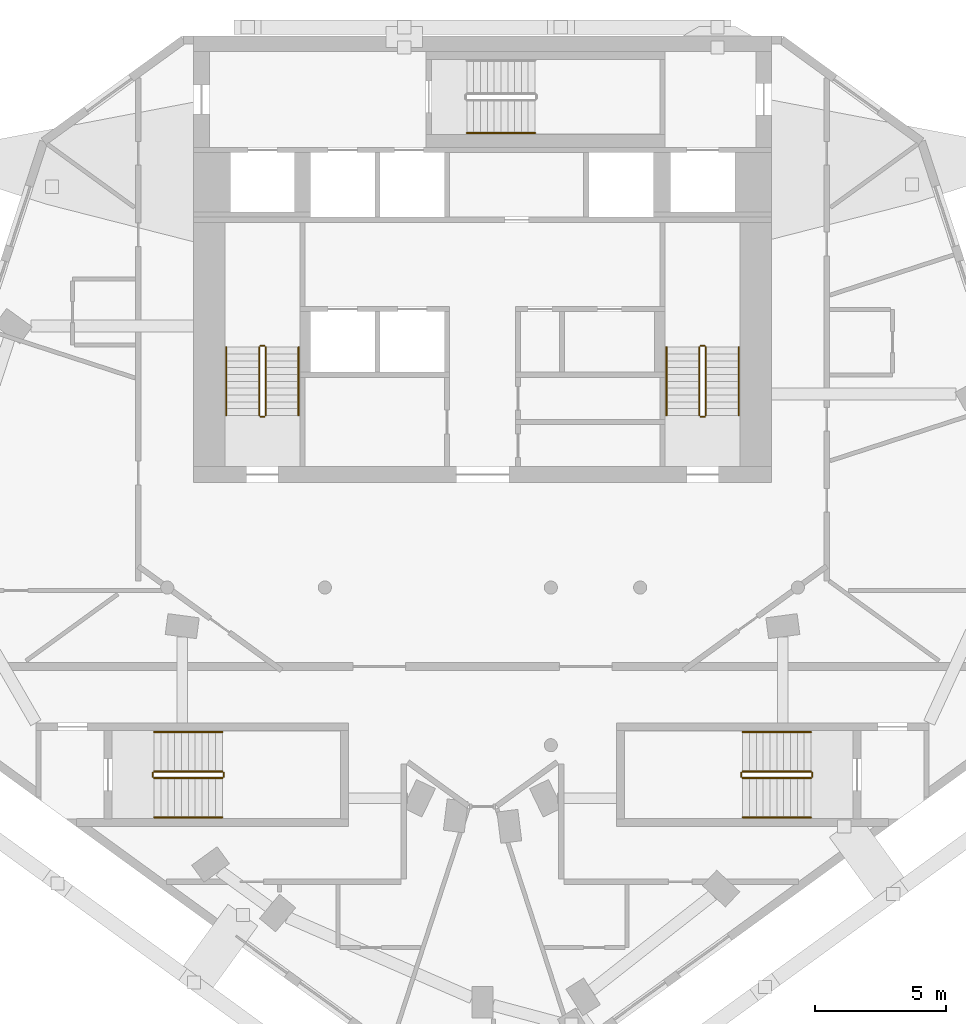
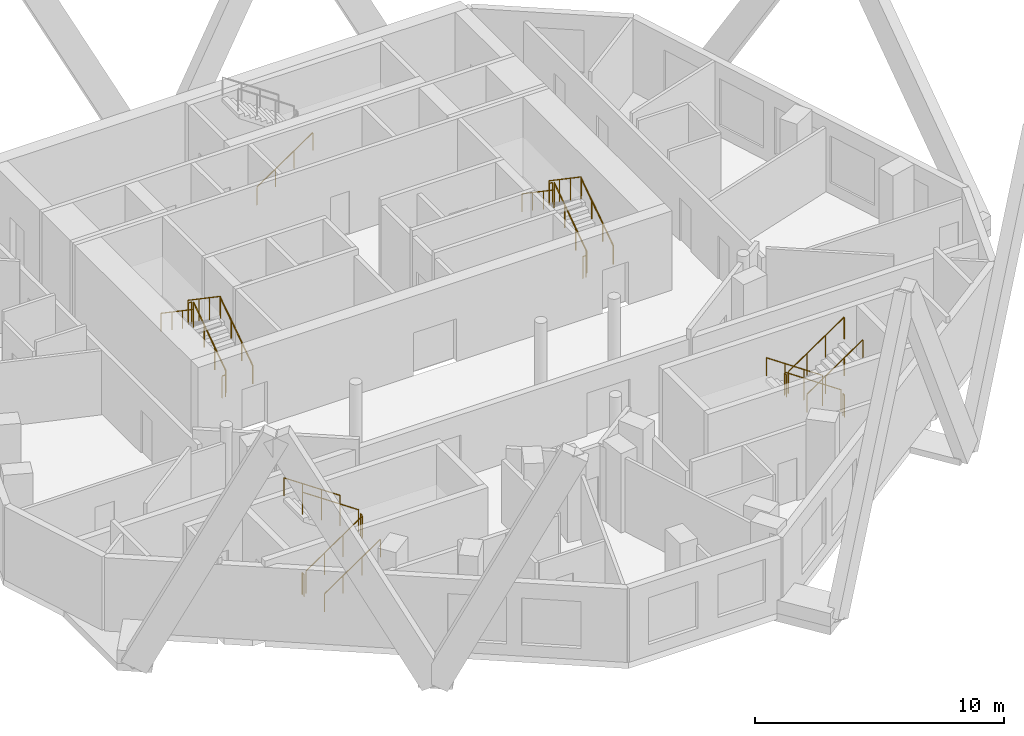
# One storey, part 7 of 8: 25 railings.
"""IFC4 building model written with IfcOpenShell, lengths in metres."""

from ifc_helpers import new_model, si_unit, direction, frame, origin, origin_2d, place, context, subcontext, project, spatial, circle, extrude, material, type_object, element, save


model = new_model("IFC4")

# Units and contexts
model_context = context("Model", 3, precision=1e-05, world=origin(), true_north=direction((0.0, 1.0)))
body_context = subcontext(model_context, "Body", "Model", "MODEL_VIEW")
ifc_project = project(units=[si_unit("LENGTHUNIT", "METRE"), si_unit("AREAUNIT", "SQUARE_METRE"), si_unit("VOLUMEUNIT", "CUBIC_METRE"), si_unit("PLANEANGLEUNIT", "RADIAN"), si_unit("MASSUNIT", "GRAM", prefix="KILO")], contexts=[model_context])

# Site, building, storey
site_placement = place(None, origin())
site = spatial("IfcSite", under=ifc_project, at=site_placement, CompositionType="ELEMENT")
building_placement = place(site_placement, origin())
building = spatial("IfcBuilding", under=site, at=building_placement, Name="White Candle Pilgrim Tower", CompositionType="ELEMENT")
storey_placement = place(building_placement, frame((0.0, 0.0, 306.10009765625)))
storey = spatial("IfcBuildingStorey", under=building, at=storey_placement, Name="L72", CompositionType="ELEMENT", Elevation=306.10009765625)

# Railings
ifc_material = material(Name="Stainless steel", Category="steel")
railing_type_1 = type_object("IfcRailingType", Name="Stair guard stainless steel 1100 mm", PredefinedType="GUARDRAIL", material=ifc_material)
railing_1_placement = place(storey_placement, frame((61.75, 73.550048828125, 0.17724609375)))
element("IfcRailing", 1, at=railing_1_placement, inside=storey, type_object=railing_type_1, Name="L72 ST1 stair guard 1", PredefinedType="GUARDRAIL", context=body_context, shape_type="SweptSolid", body=[
    extrude(circle(Radius=0.02392578125, at=origin_2d()), frame((0.0, 0.0, 1.076171875), z_axis=(0.0, 0.826215852431, 0.563353676824), x_axis=(-1.0, 0.0, 0.0)), (0.0, 0.0, 1.0), 3.146728515625),
    extrude(circle(Radius=0.02099609375, at=origin_2d()), origin(), (0.0, 0.0, 1.0), 1.052001953125),
    extrude(circle(Radius=0.02099609375, at=origin_2d()), frame((0.0, 0.86669921875, 0.5908203125)), (0.0, 0.0, 1.0), 1.052001953125),
    extrude(circle(Radius=0.02099609375, at=origin_2d()), frame((0.0, 1.733154296875, 1.181884765625)), (0.0, 0.0, 1.0), 1.052001953125),
    extrude(circle(Radius=0.02099609375, at=origin_2d()), frame((0.0, 2.599853515625, 1.772705078125)), (0.0, 0.0, 1.0), 1.052001953125),
])
railing_2_placement = place(storey_placement, frame((61.699951171875, 76.199951171875, 1.949951171875)))
element("IfcRailing", 2, at=railing_2_placement, inside=storey, type_object=railing_type_1, Name="L72 ST1 stair guard 2", PredefinedType="GUARDRAIL", context=body_context, shape_type="SweptSolid", body=[
    extrude(circle(Radius=0.02392578125, at=origin_2d()), frame((0.0, 0.0, 1.076171875), z_axis=(-1.0, 0.0, 0.0), x_axis=(0.0, -1.0, 0.0)), (0.0, 0.0, 1.0), 0.14990234375),
    extrude(circle(Radius=0.02099609375, at=origin_2d()), origin(), (0.0, 0.0, 1.0), 1.052001953125),
    extrude(circle(Radius=0.02099609375, at=origin_2d()), frame((-0.14990234375, 0.0, 0.0)), (0.0, 0.0, 1.0), 1.052001953125),
])
railing_3_placement = place(storey_placement, frame((61.5, 76.14990234375, 2.127197265625)))
element("IfcRailing", 3, at=railing_3_placement, inside=storey, type_object=railing_type_1, Name="L72 ST1 stair guard 3", PredefinedType="GUARDRAIL", context=body_context, shape_type="SweptSolid", body=[
    extrude(circle(Radius=0.02392578125, at=origin_2d()), frame((0.0, 0.0, 1.076171875), z_axis=(0.0, -0.826215852431, 0.563353676824), x_axis=(1.0, 0.0, 0.0)), (0.0, 0.0, 1.0), 3.146728515625),
    extrude(circle(Radius=0.02099609375, at=origin_2d()), origin(), (0.0, 0.0, 1.0), 1.052001953125),
    extrude(circle(Radius=0.02099609375, at=origin_2d()), frame((0.0, -0.86669921875, 0.5908203125)), (0.0, 0.0, 1.0), 1.052001953125),
    extrude(circle(Radius=0.02099609375, at=origin_2d()), frame((0.0, -1.733154296875, 1.181884765625)), (0.0, 0.0, 1.0), 1.052001953125),
    extrude(circle(Radius=0.02099609375, at=origin_2d()), frame((0.0, -2.599853515625, 1.772705078125)), (0.0, 0.0, 1.0), 1.052001953125),
])
railing_4_placement = place(storey_placement, frame((61.699951171875, 73.5, 0.0)))
element("IfcRailing", 4, at=railing_4_placement, inside=storey, type_object=railing_type_1, Name="L72 ST1 stair guard 4", PredefinedType="GUARDRAIL", context=body_context, shape_type="SweptSolid", body=[
    extrude(circle(Radius=0.02392578125, at=origin_2d()), frame((0.0, 0.0, 1.076171875), z_axis=(-1.0, 0.0, 0.0), x_axis=(0.0, -1.0, 0.0)), (0.0, 0.0, 1.0), 0.14990234375),
    extrude(circle(Radius=0.02099609375, at=origin_2d()), origin(), (0.0, 0.0, 1.0), 1.052001953125),
    extrude(circle(Radius=0.02099609375, at=origin_2d()), frame((-0.14990234375, 0.0, 0.0)), (0.0, 0.0, 1.0), 1.052001953125),
])
railing_5_placement = place(storey_placement, frame((78.5, 73.550048828125, 0.17724609375)))
element("IfcRailing", 5, at=railing_5_placement, inside=storey, type_object=railing_type_1, Name="L72 ST2 stair guard 1", PredefinedType="GUARDRAIL", context=body_context, shape_type="SweptSolid", body=[
    extrude(circle(Radius=0.02392578125, at=origin_2d()), frame((0.0, 0.0, 1.076171875), z_axis=(0.0, 0.826215852431, 0.563353676824), x_axis=(-1.0, 0.0, 0.0)), (0.0, 0.0, 1.0), 3.146728515625),
    extrude(circle(Radius=0.02099609375, at=origin_2d()), origin(), (0.0, 0.0, 1.0), 1.052001953125),
    extrude(circle(Radius=0.02099609375, at=origin_2d()), frame((0.0, 0.86669921875, 0.5908203125)), (0.0, 0.0, 1.0), 1.052001953125),
    extrude(circle(Radius=0.02099609375, at=origin_2d()), frame((0.0, 1.733154296875, 1.181884765625)), (0.0, 0.0, 1.0), 1.052001953125),
    extrude(circle(Radius=0.02099609375, at=origin_2d()), frame((0.0, 2.599853515625, 1.772705078125)), (0.0, 0.0, 1.0), 1.052001953125),
])
railing_6_placement = place(storey_placement, frame((78.449951171875, 76.199951171875, 1.949951171875)))
element("IfcRailing", 6, at=railing_6_placement, inside=storey, type_object=railing_type_1, Name="L72 ST2 stair guard 2", PredefinedType="GUARDRAIL", context=body_context, shape_type="SweptSolid", body=[
    extrude(circle(Radius=0.02392578125, at=origin_2d()), frame((0.0, 0.0, 1.076171875), z_axis=(-1.0, 0.0, 0.0), x_axis=(0.0, -1.0, 0.0)), (0.0, 0.0, 1.0), 0.14990234375),
    extrude(circle(Radius=0.02099609375, at=origin_2d()), origin(), (0.0, 0.0, 1.0), 1.052001953125),
    extrude(circle(Radius=0.02099609375, at=origin_2d()), frame((-0.14990234375, 0.0, 0.0)), (0.0, 0.0, 1.0), 1.052001953125),
])
railing_7_placement = place(storey_placement, frame((78.25, 76.14990234375, 2.127197265625)))
element("IfcRailing", 7, at=railing_7_placement, inside=storey, type_object=railing_type_1, Name="L72 ST2 stair guard 3", PredefinedType="GUARDRAIL", context=body_context, shape_type="SweptSolid", body=[
    extrude(circle(Radius=0.02392578125, at=origin_2d()), frame((0.0, 0.0, 1.076171875), z_axis=(0.0, -0.826215852431, 0.563353676824), x_axis=(1.0, 0.0, 0.0)), (0.0, 0.0, 1.0), 3.146728515625),
    extrude(circle(Radius=0.02099609375, at=origin_2d()), origin(), (0.0, 0.0, 1.0), 1.052001953125),
    extrude(circle(Radius=0.02099609375, at=origin_2d()), frame((0.0, -0.86669921875, 0.5908203125)), (0.0, 0.0, 1.0), 1.052001953125),
    extrude(circle(Radius=0.02099609375, at=origin_2d()), frame((0.0, -1.733154296875, 1.181884765625)), (0.0, 0.0, 1.0), 1.052001953125),
    extrude(circle(Radius=0.02099609375, at=origin_2d()), frame((0.0, -2.599853515625, 1.772705078125)), (0.0, 0.0, 1.0), 1.052001953125),
])
railing_8_placement = place(storey_placement, frame((78.449951171875, 73.5, 0.0)))
element("IfcRailing", 8, at=railing_8_placement, inside=storey, type_object=railing_type_1, Name="L72 ST2 stair guard 4", PredefinedType="GUARDRAIL", context=body_context, shape_type="SweptSolid", body=[
    extrude(circle(Radius=0.02392578125, at=origin_2d()), frame((0.0, 0.0, 1.076171875), z_axis=(-1.0, 0.0, 0.0), x_axis=(0.0, -1.0, 0.0)), (0.0, 0.0, 1.0), 0.14990234375),
    extrude(circle(Radius=0.02099609375, at=origin_2d()), origin(), (0.0, 0.0, 1.0), 1.052001953125),
    extrude(circle(Radius=0.02099609375, at=origin_2d()), frame((-0.14990234375, 0.0, 0.0)), (0.0, 0.0, 1.0), 1.052001953125),
])
railing_9_placement = place(storey_placement, frame((82.5, 60.0, 0.17724609375)))
element("IfcRailing", 9, at=railing_9_placement, inside=storey, type_object=railing_type_1, Name="L72 ST4 stair guard 1", PredefinedType="GUARDRAIL", context=body_context, shape_type="SweptSolid", body=[
    extrude(circle(Radius=0.02392578125, at=origin_2d()), frame((0.0, 0.0, 1.076171875), z_axis=(-0.826240473404, 0.0, 0.563317565952), x_axis=(0.0, -1.0, 0.0)), (0.0, 0.0, 1.0), 3.14697265625),
    extrude(circle(Radius=0.02099609375, at=origin_2d()), origin(), (0.0, 0.0, 1.0), 1.052001953125),
    extrude(circle(Radius=0.02099609375, at=origin_2d()), frame((-0.86669921875, 0.0, 0.5908203125)), (0.0, 0.0, 1.0), 1.052001953125),
    extrude(circle(Radius=0.02099609375, at=origin_2d()), frame((-1.7333984375, 0.0, 1.181884765625)), (0.0, 0.0, 1.0), 1.052001953125),
    extrude(circle(Radius=0.02099609375, at=origin_2d()), frame((-2.60009765625, 0.0, 1.772705078125)), (0.0, 0.0, 1.0), 1.052001953125),
])
railing_10_placement = place(storey_placement, frame((79.85009765625, 59.949951171875, 1.949951171875)))
element("IfcRailing", 10, at=railing_10_placement, inside=storey, type_object=railing_type_1, Name="L72 ST4 stair guard 2", PredefinedType="GUARDRAIL", context=body_context, shape_type="SweptSolid", body=[
    extrude(circle(Radius=0.02392578125, at=origin_2d()), frame((0.0, 0.0, 1.076171875), z_axis=(0.0, -1.0, 0.0), x_axis=(1.0, 0.0, 0.0)), (0.0, 0.0, 1.0), 0.14990234375),
    extrude(circle(Radius=0.02099609375, at=origin_2d()), origin(), (0.0, 0.0, 1.0), 1.052001953125),
    extrude(circle(Radius=0.02099609375, at=origin_2d()), frame((0.0, -0.14990234375, 0.0)), (0.0, 0.0, 1.0), 1.052001953125),
])
railing_11_placement = place(storey_placement, frame((79.89990234375, 59.75, 2.127197265625)))
element("IfcRailing", 11, at=railing_11_placement, inside=storey, type_object=railing_type_1, Name="L72 ST4 stair guard 3", PredefinedType="GUARDRAIL", context=body_context, shape_type="SweptSolid", body=[
    extrude(circle(Radius=0.02392578125, at=origin_2d()), frame((0.0, 0.0, 1.076171875), z_axis=(0.826240473404, 0.0, 0.563317565952), x_axis=(0.0, 1.0, 0.0)), (0.0, 0.0, 1.0), 3.14697265625),
    extrude(circle(Radius=0.02099609375, at=origin_2d()), origin(), (0.0, 0.0, 1.0), 1.052001953125),
    extrude(circle(Radius=0.02099609375, at=origin_2d()), frame((0.86669921875, 0.0, 0.5908203125)), (0.0, 0.0, 1.0), 1.052001953125),
    extrude(circle(Radius=0.02099609375, at=origin_2d()), frame((1.7333984375, 0.0, 1.181884765625)), (0.0, 0.0, 1.0), 1.052001953125),
    extrude(circle(Radius=0.02099609375, at=origin_2d()), frame((2.60009765625, 0.0, 1.772705078125)), (0.0, 0.0, 1.0), 1.052001953125),
])
railing_12_placement = place(storey_placement, frame((82.550048828125, 59.949951171875, 0.0)))
element("IfcRailing", 12, at=railing_12_placement, inside=storey, type_object=railing_type_1, Name="L72 ST4 stair guard 4", PredefinedType="GUARDRAIL", context=body_context, shape_type="SweptSolid", body=[
    extrude(circle(Radius=0.02392578125, at=origin_2d()), frame((0.0, 0.0, 1.076171875), z_axis=(0.0, -1.0, 0.0), x_axis=(1.0, 0.0, 0.0)), (0.0, 0.0, 1.0), 0.14990234375),
    extrude(circle(Radius=0.02099609375, at=origin_2d()), origin(), (0.0, 0.0, 1.0), 1.052001953125),
    extrude(circle(Radius=0.02099609375, at=origin_2d()), frame((0.0, -0.14990234375, 0.0)), (0.0, 0.0, 1.0), 1.052001953125),
])
railing_13_placement = place(storey_placement, frame((57.5, 59.75, 0.17724609375)))
element("IfcRailing", 13, at=railing_13_placement, inside=storey, type_object=railing_type_1, Name="L72 ST5 stair guard 1", PredefinedType="GUARDRAIL", context=body_context, shape_type="SweptSolid", body=[
    extrude(circle(Radius=0.02392578125, at=origin_2d()), frame((0.0, 0.0, 1.076171875), z_axis=(0.826240473404, 0.0, 0.563317565952), x_axis=(0.0, 1.0, 0.0)), (0.0, 0.0, 1.0), 3.14697265625),
    extrude(circle(Radius=0.02099609375, at=origin_2d()), origin(), (0.0, 0.0, 1.0), 1.052001953125),
    extrude(circle(Radius=0.02099609375, at=origin_2d()), frame((0.86669921875, 0.0, 0.5908203125)), (0.0, 0.0, 1.0), 1.052001953125),
    extrude(circle(Radius=0.02099609375, at=origin_2d()), frame((1.7333984375, 0.0, 1.181884765625)), (0.0, 0.0, 1.0), 1.052001953125),
    extrude(circle(Radius=0.02099609375, at=origin_2d()), frame((2.60009765625, 0.0, 1.772705078125)), (0.0, 0.0, 1.0), 1.052001953125),
])
railing_14_placement = place(storey_placement, frame((60.14990234375, 59.800048828125, 1.949951171875)))
element("IfcRailing", 14, at=railing_14_placement, inside=storey, type_object=railing_type_1, Name="L72 ST5 stair guard 2", PredefinedType="GUARDRAIL", context=body_context, shape_type="SweptSolid", body=[
    extrude(circle(Radius=0.02392578125, at=origin_2d()), frame((0.0, 0.0, 1.076171875), z_axis=(0.0, 1.0, 0.0), x_axis=(-1.0, 0.0, 0.0)), (0.0, 0.0, 1.0), 0.14990234375),
    extrude(circle(Radius=0.02099609375, at=origin_2d()), origin(), (0.0, 0.0, 1.0), 1.052001953125),
    extrude(circle(Radius=0.02099609375, at=origin_2d()), frame((0.0, 0.14990234375, 0.0)), (0.0, 0.0, 1.0), 1.052001953125),
])
railing_15_placement = place(storey_placement, frame((60.10009765625, 60.0, 2.127197265625)))
element("IfcRailing", 15, at=railing_15_placement, inside=storey, type_object=railing_type_1, Name="L72 ST5 stair guard 3", PredefinedType="GUARDRAIL", context=body_context, shape_type="SweptSolid", body=[
    extrude(circle(Radius=0.02392578125, at=origin_2d()), frame((0.0, 0.0, 1.076171875), z_axis=(-0.826240473404, 0.0, 0.563317565952), x_axis=(0.0, -1.0, 0.0)), (0.0, 0.0, 1.0), 3.14697265625),
    extrude(circle(Radius=0.02099609375, at=origin_2d()), origin(), (0.0, 0.0, 1.0), 1.052001953125),
    extrude(circle(Radius=0.02099609375, at=origin_2d()), frame((-0.86669921875, 0.0, 0.5908203125)), (0.0, 0.0, 1.0), 1.052001953125),
    extrude(circle(Radius=0.02099609375, at=origin_2d()), frame((-1.7333984375, 0.0, 1.181884765625)), (0.0, 0.0, 1.0), 1.052001953125),
    extrude(circle(Radius=0.02099609375, at=origin_2d()), frame((-2.60009765625, 0.0, 1.772705078125)), (0.0, 0.0, 1.0), 1.052001953125),
])
railing_16_placement = place(storey_placement, frame((57.449951171875, 59.800048828125, 0.0)))
element("IfcRailing", 16, at=railing_16_placement, inside=storey, type_object=railing_type_1, Name="L72 ST5 stair guard 4", PredefinedType="GUARDRAIL", context=body_context, shape_type="SweptSolid", body=[
    extrude(circle(Radius=0.02392578125, at=origin_2d()), frame((0.0, 0.0, 1.076171875), z_axis=(0.0, 1.0, 0.0), x_axis=(-1.0, 0.0, 0.0)), (0.0, 0.0, 1.0), 0.14990234375),
    extrude(circle(Radius=0.02099609375, at=origin_2d()), origin(), (0.0, 0.0, 1.0), 1.052001953125),
    extrude(circle(Radius=0.02099609375, at=origin_2d()), frame((0.0, 0.14990234375, 0.0)), (0.0, 0.0, 1.0), 1.052001953125),
])
railing_type_2 = type_object("IfcRailingType", Name="Stair handrail stainless steel", PredefinedType="HANDRAIL", material=ifc_material)
railing_17_placement = place(storey_placement, frame((63.0, 73.550048828125, 0.17724609375)))
element("IfcRailing", 17, at=railing_17_placement, inside=storey, type_object=railing_type_2, Name="L72 ST1 stair handrail 1", PredefinedType="HANDRAIL", context=body_context, shape_type="SweptSolid", body=[
    extrude(circle(Radius=0.02392578125, at=origin_2d()), frame((0.0, 0.0, 0.8759765625), z_axis=(0.0, 0.826215852431, 0.563353676824), x_axis=(-1.0, 0.0, 0.0)), (0.0, 0.0, 1.0), 3.146728515625),
    extrude(circle(Radius=0.02099609375, at=origin_2d()), origin(), (0.0, 0.0, 1.0), 0.851806640625),
    extrude(circle(Radius=0.02099609375, at=origin_2d()), frame((0.0, 0.86669921875, 0.5908203125)), (0.0, 0.0, 1.0), 0.851806640625),
    extrude(circle(Radius=0.02099609375, at=origin_2d()), frame((0.0, 1.733154296875, 1.181884765625)), (0.0, 0.0, 1.0), 0.851806640625),
    extrude(circle(Radius=0.02099609375, at=origin_2d()), frame((0.0, 2.599853515625, 1.772705078125)), (0.0, 0.0, 1.0), 0.851806640625),
])
railing_18_placement = place(storey_placement, frame((60.25, 76.14990234375, 2.127197265625)))
element("IfcRailing", 18, at=railing_18_placement, inside=storey, type_object=railing_type_2, Name="L72 ST1 stair handrail 2", PredefinedType="HANDRAIL", context=body_context, shape_type="SweptSolid", body=[
    extrude(circle(Radius=0.02392578125, at=origin_2d()), frame((0.0, 0.0, 0.8759765625), z_axis=(0.0, -0.826215852431, 0.563353676824), x_axis=(1.0, 0.0, 0.0)), (0.0, 0.0, 1.0), 3.146728515625),
    extrude(circle(Radius=0.02099609375, at=origin_2d()), origin(), (0.0, 0.0, 1.0), 0.851806640625),
    extrude(circle(Radius=0.02099609375, at=origin_2d()), frame((0.0, -0.86669921875, 0.5908203125)), (0.0, 0.0, 1.0), 0.851806640625),
    extrude(circle(Radius=0.02099609375, at=origin_2d()), frame((0.0, -1.733154296875, 1.181884765625)), (0.0, 0.0, 1.0), 0.851806640625),
    extrude(circle(Radius=0.02099609375, at=origin_2d()), frame((0.0, -2.599853515625, 1.772705078125)), (0.0, 0.0, 1.0), 0.851806640625),
])
railing_19_placement = place(storey_placement, frame((79.75, 73.550048828125, 0.17724609375)))
element("IfcRailing", 19, at=railing_19_placement, inside=storey, type_object=railing_type_2, Name="L72 ST2 stair handrail 1", PredefinedType="HANDRAIL", context=body_context, shape_type="SweptSolid", body=[
    extrude(circle(Radius=0.02392578125, at=origin_2d()), frame((0.0, 0.0, 0.8759765625), z_axis=(0.0, 0.826215852431, 0.563353676824), x_axis=(-1.0, 0.0, 0.0)), (0.0, 0.0, 1.0), 3.146728515625),
    extrude(circle(Radius=0.02099609375, at=origin_2d()), origin(), (0.0, 0.0, 1.0), 0.851806640625),
    extrude(circle(Radius=0.02099609375, at=origin_2d()), frame((0.0, 0.86669921875, 0.5908203125)), (0.0, 0.0, 1.0), 0.851806640625),
    extrude(circle(Radius=0.02099609375, at=origin_2d()), frame((0.0, 1.733154296875, 1.181884765625)), (0.0, 0.0, 1.0), 0.851806640625),
    extrude(circle(Radius=0.02099609375, at=origin_2d()), frame((0.0, 2.599853515625, 1.772705078125)), (0.0, 0.0, 1.0), 0.851806640625),
])
railing_20_placement = place(storey_placement, frame((77.0, 76.14990234375, 2.127197265625)))
element("IfcRailing", 20, at=railing_20_placement, inside=storey, type_object=railing_type_2, Name="L72 ST2 stair handrail 2", PredefinedType="HANDRAIL", context=body_context, shape_type="SweptSolid", body=[
    extrude(circle(Radius=0.02392578125, at=origin_2d()), frame((0.0, 0.0, 0.8759765625), z_axis=(0.0, -0.826215852431, 0.563353676824), x_axis=(1.0, 0.0, 0.0)), (0.0, 0.0, 1.0), 3.146728515625),
    extrude(circle(Radius=0.02099609375, at=origin_2d()), origin(), (0.0, 0.0, 1.0), 0.851806640625),
    extrude(circle(Radius=0.02099609375, at=origin_2d()), frame((0.0, -0.86669921875, 0.5908203125)), (0.0, 0.0, 1.0), 0.851806640625),
    extrude(circle(Radius=0.02099609375, at=origin_2d()), frame((0.0, -1.733154296875, 1.181884765625)), (0.0, 0.0, 1.0), 0.851806640625),
    extrude(circle(Radius=0.02099609375, at=origin_2d()), frame((0.0, -2.599853515625, 1.772705078125)), (0.0, 0.0, 1.0), 0.851806640625),
])
railing_21_placement = place(storey_placement, frame((69.39990234375, 84.300048828125, 0.17724609375)))
element("IfcRailing", 21, at=railing_21_placement, inside=storey, type_object=railing_type_2, Name="L72 ST3 stair handrail 1", PredefinedType="HANDRAIL", context=body_context, shape_type="SweptSolid", body=[
    extrude(circle(Radius=0.02392578125, at=origin_2d()), frame((0.0, 0.0, 0.8759765625), z_axis=(0.826240473404, 0.0, 0.563317565952), x_axis=(0.0, 1.0, 0.0)), (0.0, 0.0, 1.0), 3.14697265625),
    extrude(circle(Radius=0.02099609375, at=origin_2d()), origin(), (0.0, 0.0, 1.0), 0.851806640625),
    extrude(circle(Radius=0.02099609375, at=origin_2d()), frame((0.86669921875, 0.0, 0.5908203125)), (0.0, 0.0, 1.0), 0.851806640625),
    extrude(circle(Radius=0.02099609375, at=origin_2d()), frame((1.7333984375, 0.0, 1.181884765625)), (0.0, 0.0, 1.0), 0.851806640625),
    extrude(circle(Radius=0.02099609375, at=origin_2d()), frame((2.60009765625, 0.0, 1.772705078125)), (0.0, 0.0, 1.0), 0.851806640625),
])
railing_22_placement = place(storey_placement, frame((82.5, 61.5, 0.17724609375)))
element("IfcRailing", 22, at=railing_22_placement, inside=storey, type_object=railing_type_2, Name="L72 ST4 stair handrail 1", PredefinedType="HANDRAIL", context=body_context, shape_type="SweptSolid", body=[
    extrude(circle(Radius=0.02392578125, at=origin_2d()), frame((0.0, 0.0, 0.8759765625), z_axis=(-0.826240473404, 0.0, 0.563317565952), x_axis=(0.0, -1.0, 0.0)), (0.0, 0.0, 1.0), 3.14697265625),
    extrude(circle(Radius=0.02099609375, at=origin_2d()), origin(), (0.0, 0.0, 1.0), 0.851806640625),
    extrude(circle(Radius=0.02099609375, at=origin_2d()), frame((-0.86669921875, 0.0, 0.5908203125)), (0.0, 0.0, 1.0), 0.851806640625),
    extrude(circle(Radius=0.02099609375, at=origin_2d()), frame((-1.7333984375, 0.0, 1.181884765625)), (0.0, 0.0, 1.0), 0.851806640625),
    extrude(circle(Radius=0.02099609375, at=origin_2d()), frame((-2.60009765625, 0.0, 1.772705078125)), (0.0, 0.0, 1.0), 0.851806640625),
])
for number, where, name in (
    (23, (79.89990234375, 58.25, 2.127197265625), "L72 ST4 stair handrail 2"),
    (24, (57.5, 58.25, 0.17724609375), "L72 ST5 stair handrail 1"),
):
    element("IfcRailing", number, at=place(storey_placement, frame(where)), inside=storey, type_object=railing_type_2, Name=name, PredefinedType="HANDRAIL", context=body_context, shape_type="SweptSolid", body=[
        extrude(circle(Radius=0.02392578125, at=origin_2d()), frame((0.0, 0.0, 0.8759765625), z_axis=(0.826240473404, 0.0, 0.563317565952), x_axis=(0.0, 1.0, 0.0)), (0.0, 0.0, 1.0), 3.14697265625),
        extrude(circle(Radius=0.02099609375, at=origin_2d()), origin(), (0.0, 0.0, 1.0), 0.851806640625),
        extrude(circle(Radius=0.02099609375, at=origin_2d()), frame((0.86669921875, 0.0, 0.5908203125)), (0.0, 0.0, 1.0), 0.851806640625),
        extrude(circle(Radius=0.02099609375, at=origin_2d()), frame((1.7333984375, 0.0, 1.181884765625)), (0.0, 0.0, 1.0), 0.851806640625),
        extrude(circle(Radius=0.02099609375, at=origin_2d()), frame((2.60009765625, 0.0, 1.772705078125)), (0.0, 0.0, 1.0), 0.851806640625),
    ])
railing_23_placement = place(storey_placement, frame((60.10009765625, 61.5, 2.127197265625)))
element("IfcRailing", 25, at=railing_23_placement, inside=storey, type_object=railing_type_2, Name="L72 ST5 stair handrail 2", PredefinedType="HANDRAIL", context=body_context, shape_type="SweptSolid", body=[
    extrude(circle(Radius=0.02392578125, at=origin_2d()), frame((0.0, 0.0, 0.8759765625), z_axis=(-0.826240473404, 0.0, 0.563317565952), x_axis=(0.0, -1.0, 0.0)), (0.0, 0.0, 1.0), 3.14697265625),
    extrude(circle(Radius=0.02099609375, at=origin_2d()), origin(), (0.0, 0.0, 1.0), 0.851806640625),
    extrude(circle(Radius=0.02099609375, at=origin_2d()), frame((-0.86669921875, 0.0, 0.5908203125)), (0.0, 0.0, 1.0), 0.851806640625),
    extrude(circle(Radius=0.02099609375, at=origin_2d()), frame((-1.7333984375, 0.0, 1.181884765625)), (0.0, 0.0, 1.0), 0.851806640625),
    extrude(circle(Radius=0.02099609375, at=origin_2d()), frame((-2.60009765625, 0.0, 1.772705078125)), (0.0, 0.0, 1.0), 0.851806640625),
])

save(model, "model.ifc")
